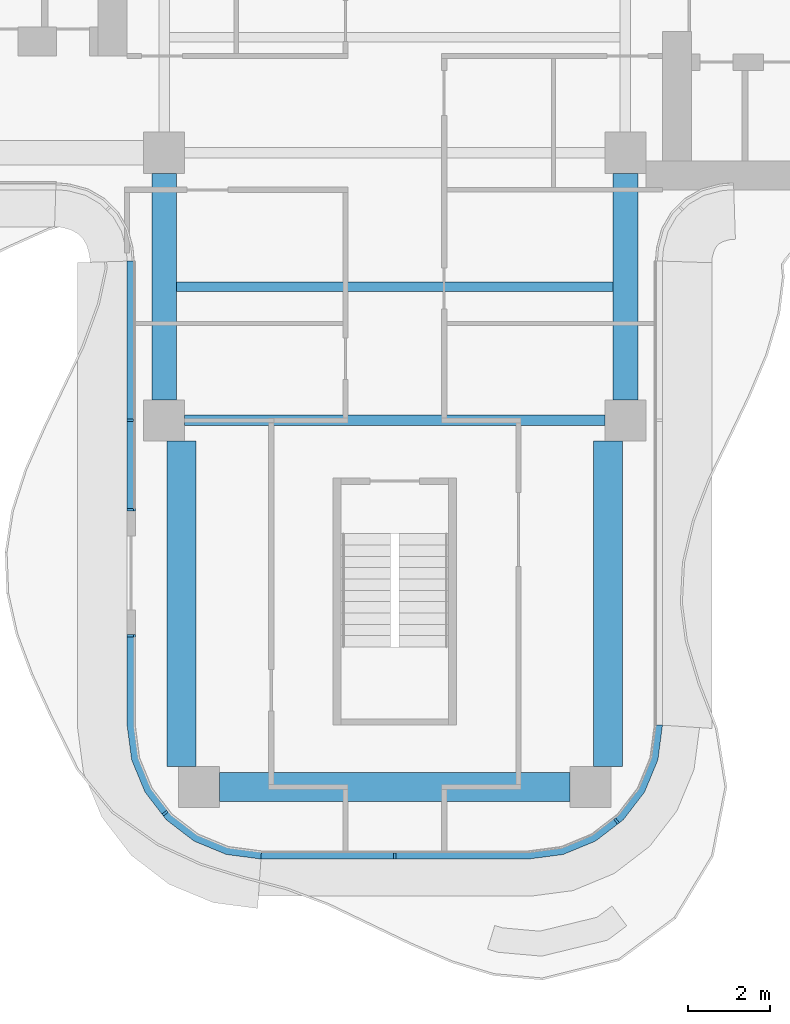
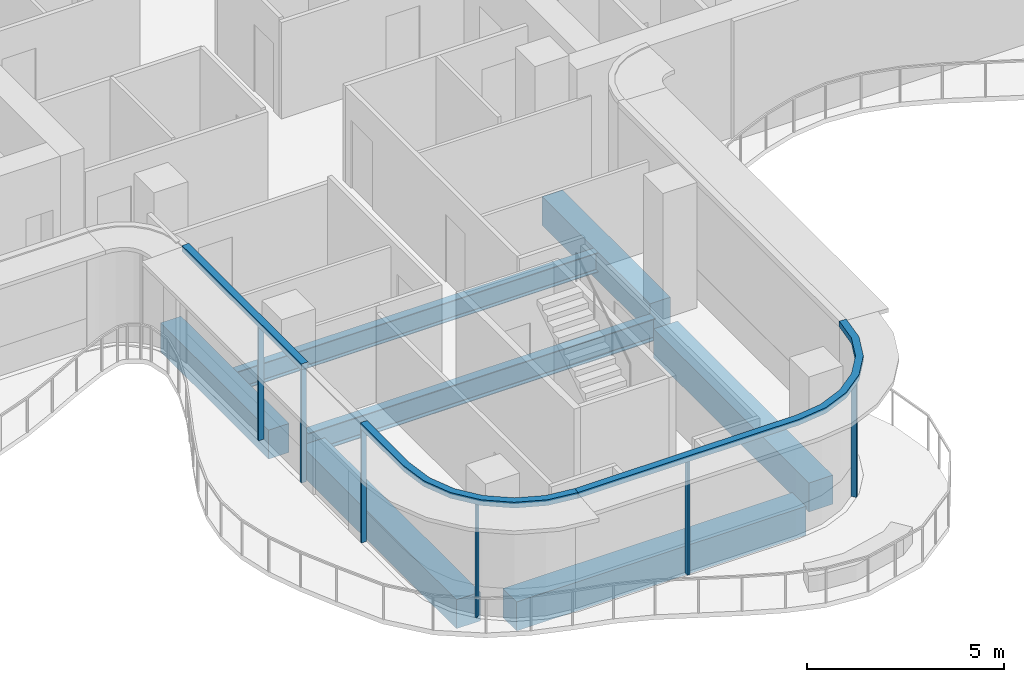
# One storey, part 2 of 16: 9 members, 7 beams, 3 elements without a shape of their own.
"""IFC4 building model written with IfcOpenShell, lengths in metres."""

from ifc_helpers import new_model, si_unit, direction, frame, origin, origin_2d, place, context, subcontext, project, spatial, polyline, rectangle, i_section, outline, extrude, source, transform, mapped, material, layer, layer_set, material_profile, profile_set, type_object, element, aggregate, save


model = new_model("IFC4")

# Units and contexts
model_context = context("Model", 3, precision=1e-05, world=origin(), true_north=direction((0.0, 1.0)))
body_context = subcontext(model_context, "Body", "Model", "MODEL_VIEW")
ifc_project = project(units=[si_unit("LENGTHUNIT", "METRE"), si_unit("AREAUNIT", "SQUARE_METRE"), si_unit("VOLUMEUNIT", "CUBIC_METRE"), si_unit("PLANEANGLEUNIT", "RADIAN"), si_unit("MASSUNIT", "GRAM", prefix="KILO")], contexts=[model_context])

# Site, building, storey
site_placement = place(None, origin())
site = spatial("IfcSite", under=ifc_project, at=site_placement, CompositionType="ELEMENT")
building_placement = place(site_placement, origin())
building = spatial("IfcBuilding", under=site, at=building_placement, Name="Trellis Farm Tower", CompositionType="ELEMENT")
storey_placement = place(building_placement, frame((0.0, 0.0, 306.699951171875)))
storey = spatial("IfcBuildingStorey", under=building, at=storey_placement, Name="L69", CompositionType="ELEMENT", Elevation=306.699951171875)

# Beams
ifc_material_1 = material(Name="Steel S355", Category="steel")
ifc_material_profile_1 = material_profile(ifc_material_1, i_section(OverallWidth=0.22900390625, OverallDepth=0.6123046875, WebThickness=0.011962890625, FlangeThickness=0.01953125, FilletRadius=0.0126953125, at=origin_2d()), Name="UB 610x229x125")
ifc_profile_set_1 = profile_set([ifc_material_profile_1], Name="Steel S355")
beam_type_1 = type_object("IfcBeamType", Name="UB 610x229x125 joist", PredefinedType="JOIST", material=ifc_profile_set_1)
shared_shape_1 = source(origin(), body_context, "Body", "SweptSolid", [
    extrude(i_section(OverallWidth=0.22900390625, OverallDepth=0.6123046875, WebThickness=0.011962890625, FlangeThickness=0.01953125, FilletRadius=0.0126953125, at=origin_2d()), origin(), (0.0, 0.0, 1.0), 10.60009765625),
])
beam_1_placement = place(storey_placement, frame((-5.300048828125, -8.85009765625, -0.506103515625), z_axis=(1.0, 0.0, 0.0), x_axis=(0.0, 1.0, 0.0)))
element("IfcBeam", 1, at=beam_1_placement, inside=storey, type_object=beam_type_1, Name="Floor beam", PredefinedType="JOIST", context=body_context, shape_type="MappedRepresentation", body=[
    mapped(shared_shape_1, transform((0.0, 0.0, 0.0))),
])
ifc_material_profile_2 = material_profile(ifc_material_1, i_section(OverallWidth=0.253662109375, OverallDepth=0.68359375, WebThickness=0.012451171875, FlangeThickness=0.021728515625, FilletRadius=0.01513671875, at=origin_2d()), Name="UB 686x254x140")
ifc_profile_set_2 = profile_set([ifc_material_profile_2], Name="Steel S355")
beam_type_2 = type_object("IfcBeamType", Name="UB 686x254x140", PredefinedType="BEAM", material=ifc_profile_set_2)
shared_shape_2 = source(origin(), body_context, "Body", "SweptSolid", [
    extrude(i_section(OverallWidth=0.253662109375, OverallDepth=0.68359375, WebThickness=0.012451171875, FlangeThickness=0.021728515625, FilletRadius=0.01513671875, at=origin_2d()), origin(), (0.0, 0.0, 1.0), 10.2001953125),
])
beam_2_placement = place(storey_placement, frame((-5.10009765625, -12.10009765625, -0.541748046875), z_axis=(1.0, 0.0, 0.0), x_axis=(0.0, 1.0, 0.0)))
element("IfcBeam", 2, at=beam_2_placement, inside=storey, type_object=beam_type_2, Name="Girder", PredefinedType="BEAM", context=body_context, shape_type="MappedRepresentation", body=[
    mapped(shared_shape_2, transform((0.0, 0.0, 0.0))),
])
ifc_material_2 = material(Name="Concrete C60/75", Category="concrete")
ifc_material_profile_3 = material_profile(ifc_material_2, rectangle(XDim=0.60009765625, YDim=0.89990234375, at=origin_2d()), Name="RC spandrel beam 600x900 C60/75")
ifc_profile_set_3 = profile_set([ifc_material_profile_3], Name="Concrete C60/75")
beam_type_3 = type_object("IfcBeamType", Name="RC spandrel beam 600x900 C60/75", PredefinedType="SPANDREL", material=ifc_profile_set_3)
shared_shape_3 = source(origin(), body_context, "Body", "SweptSolid", [
    extrude(rectangle(XDim=0.60009765625, YDim=0.89990234375, at=origin_2d()), origin(), (0.0, 0.0, 1.0), 5.5),
])
for number, where, z_axis, x_axis, name in (
    (3, (-5.60009765625, -11.60009765625, -0.64990234375), (0.0, 1.0, 0.0), (-1.0, 0.0, 0.0), "Girder"),
    (4, (5.60009765625, -11.60009765625, -0.64990234375), (0.0, 1.0, 0.0), (-1.0, 0.0, 0.0), "Girder"),
):
    element("IfcBeam", number, at=place(storey_placement, frame(where, z_axis=z_axis, x_axis=x_axis)), inside=storey, type_object=beam_type_3, Name=name, PredefinedType="SPANDREL", context=body_context, shape_type="MappedRepresentation", body=[
        mapped(shared_shape_3, transform((0.0, 0.0, 0.0))),
    ])
ifc_material_profile_4 = material_profile(ifc_material_2, rectangle(XDim=0.699951171875, YDim=0.89990234375, at=origin_2d()), Name="RC spandrel beam 700x900 C60/75")
ifc_profile_set_4 = profile_set([ifc_material_profile_4], Name="Concrete C60/75")
beam_type_4 = type_object("IfcBeamType", Name="RC spandrel beam 700x900 C60/75", PredefinedType="SPANDREL", material=ifc_profile_set_4)
shared_shape_4 = source(origin(), body_context, "Body", "SweptSolid", [
    extrude(rectangle(XDim=0.699951171875, YDim=0.89990234375, at=origin_2d()), origin(), (0.0, 0.0, 1.0), 8.5),
])
beam_3_placement = place(storey_placement, frame((-4.25, -21.0, -0.64990234375), z_axis=(1.0, 0.0, 0.0), x_axis=(0.0, 1.0, 0.0)))
element("IfcBeam", 5, at=beam_3_placement, inside=storey, type_object=beam_type_4, Name="Girder", PredefinedType="SPANDREL", context=body_context, shape_type="MappedRepresentation", body=[
    mapped(shared_shape_4, transform((0.0, 0.0, 0.0))),
])
shared_shape_5 = source(origin(), body_context, "Body", "SweptSolid", [
    extrude(rectangle(XDim=0.699951171875, YDim=0.89990234375, at=origin_2d()), origin(), (0.0, 0.0, 1.0), 7.89990234375),
])
for number, where, z_axis, x_axis, name in (
    (6, (-5.175048828125, -20.5, -0.64990234375), (0.0, 1.0, 0.0), (-1.0, 0.0, 0.0), "Girder"),
    (7, (5.175048828125, -20.5, -0.64990234375), (0.0, 1.0, 0.0), (-1.0, 0.0, 0.0), "Girder"),
):
    element("IfcBeam", number, at=place(storey_placement, frame(where, z_axis=z_axis, x_axis=x_axis)), inside=storey, type_object=beam_type_4, Name=name, PredefinedType="SPANDREL", context=body_context, shape_type="MappedRepresentation", body=[
        mapped(shared_shape_5, transform((0.0, 0.0, 0.0))),
    ])

# Curtain wall, members
ifc_material_3 = material(Name="Aluminium and glass curtain wall", Category="aluminium")
ifc_layer_1 = layer(ifc_material_3, 0.18994140625)
ifc_layer_set_1 = layer_set([ifc_layer_1], Name="RIBBON CURTAIN WALL CW1")
curtain_wall_type = type_object("IfcCurtainWallType", Name="RIBBON CURTAIN WALL CW1", PredefinedType="NOTDEFINED", material=ifc_layer_set_1)
placement_1 = place(storey_placement, origin())
curtain_wall_1 = element("IfcCurtainWall", 8, at=placement_1, inside=storey, type_object=curtain_wall_type, Name="CW1 002", PredefinedType="NOTDEFINED")
ifc_material_4 = material(Name="Aluminium extrusion 6063-T6", Category="aluminium")
ifc_material_profile_5 = material_profile(ifc_material_4, rectangle(XDim=0.06005859375, YDim=0.14990234375, at=origin_2d()), Name="MULLION 60x150")
ifc_profile_set_5 = profile_set([ifc_material_profile_5], Name="Aluminium extrusion 6063-T6")
member_type_1 = type_object("IfcMemberType", Name="CW1 MULLION 60x150", PredefinedType="MULLION", material=ifc_profile_set_5)
shared_shape_6 = source(origin(), body_context, "Body", "SweptSolid", [
    extrude(rectangle(XDim=0.06005859375, YDim=0.14990234375, at=origin_2d()), origin(), (0.0, 0.0, 1.0), 3.52001953125),
])
member_1_placement = place(storey_placement, frame((-6.425048828125, -12.10009765625, 0.0), z_axis=(0.0, 0.0, 1.0), x_axis=(0.0, -1.0, 0.0)))
member_1 = element("IfcMember", 9, at=member_1_placement, type_object=member_type_1, Name="MU1 002-01", PredefinedType="MULLION", context=body_context, shape_type="MappedRepresentation", body=[
    mapped(shared_shape_6, transform((0.0, 0.0, 0.0))),
])
member_2_placement = place(storey_placement, frame((-6.425048828125, -14.27001953125, 0.0), z_axis=(0.0, 0.0, 1.0), x_axis=(0.0, -1.0, 0.0)))
member_2 = element("IfcMember", 10, at=member_2_placement, type_object=member_type_1, Name="MU1 002-02", PredefinedType="MULLION", context=body_context, shape_type="MappedRepresentation", body=[
    mapped(shared_shape_6, transform((0.0, 0.0, 0.0))),
])

curtain_wall_2 = element("IfcCurtainWall", 11, at=placement_1, inside=storey, type_object=curtain_wall_type, Name="CW1 003", PredefinedType="NOTDEFINED")
member_3_placement = place(storey_placement, frame((-6.425048828125, -17.330078125, 0.0), z_axis=(0.0, 0.0, 1.0), x_axis=(0.0, -1.0, 0.0)))
member_3 = element("IfcMember", 12, at=member_3_placement, type_object=member_type_1, Name="MU1 003-01", PredefinedType="MULLION", context=body_context, shape_type="MappedRepresentation", body=[
    mapped(shared_shape_6, transform((0.0, 0.0, 0.0))),
])
member_4_placement = place(storey_placement, frame((-5.578369140625, -21.635498046875, 0.0), z_axis=(0.0, 0.0, 1.0), x_axis=(0.608761429009, -0.793353340291, 0.0)))
member_4 = element("IfcMember", 13, at=member_4_placement, type_object=member_type_1, Name="MU1 003-02", PredefinedType="MULLION", context=body_context, shape_type="MappedRepresentation", body=[
    mapped(shared_shape_6, transform((0.0, 0.0, 0.0))),
])

curtain_wall_3 = element("IfcCurtainWall", 14, at=placement_1, inside=storey, type_object=curtain_wall_type, Name="CW1 004", PredefinedType="NOTDEFINED")
member_5_placement = place(storey_placement, frame((0.0, -22.675048828125, 0.0), z_axis=(0.0, 0.0, 1.0), x_axis=(1.0, 0.0, 0.0)))
member_5 = element("IfcMember", 15, at=member_5_placement, type_object=member_type_1, Name="MU1 004-01", PredefinedType="MULLION", context=body_context, shape_type="MappedRepresentation", body=[
    mapped(shared_shape_6, transform((0.0, 0.0, 0.0))),
])
member_6_placement = place(storey_placement, frame((5.385498046875, -21.828369140625, 0.0), z_axis=(0.0, 0.0, 1.0), x_axis=(0.793353340291, 0.608761429009, 0.0)))
member_6 = element("IfcMember", 16, at=member_6_placement, type_object=member_type_1, Name="MU1 004-02", PredefinedType="MULLION", context=body_context, shape_type="MappedRepresentation", body=[
    mapped(shared_shape_6, transform((0.0, 0.0, 0.0))),
])
ifc_layer_2 = layer(ifc_material_4, 0.199951171875)
ifc_layer_set_2 = layer_set([ifc_layer_2], Name="Aluminium extrusion 6063-T6")
member_type_2 = type_object("IfcMemberType", Name="CW1 TRANSOM 200x180", PredefinedType="USERDEFINED", material=ifc_layer_set_2)
shared_shape_7 = source(origin(), body_context, "Body", "SweptSolid", [
    extrude(outline(polyline([(-3.25, -22.75), (3.25, -22.75), (4.091064453125, -22.63916015625), (4.875, -22.314697265625), (5.548095703125, -21.798095703125), (6.064697265625, -21.125), (6.38916015625, -20.341064453125), (6.5, -19.5), (6.300048828125, -19.48681640625), (6.1943359375, -20.2890625), (5.889892578125, -21.024169921875), (5.405517578125, -21.655517578125), (4.774169921875, -22.139892578125), (4.0390625, -22.4443359375), (3.23681640625, -22.550048828125), (-3.23681640625, -22.550048828125), (-3.25, -22.75)])), origin(), (0.0, 0.0, 1.0), 0.179931640625),
])
placement_2 = place(storey_placement, frame((0.0, 0.0, 3.52001953125)))
member_7 = element("IfcMember", 17, at=placement_2, type_object=member_type_2, Name="TR1 004", ObjectType="TRANSOM", PredefinedType="USERDEFINED", context=body_context, shape_type="MappedRepresentation", body=[
    mapped(shared_shape_7, transform((0.0, 0.0, 0.0))),
])
aggregate(curtain_wall_3, [member_5, member_6, member_7])

# Member
shared_shape_8 = source(origin(), body_context, "Body", "SweptSolid", [
    extrude(outline(polyline([(-6.5, -8.2314453125), (-6.5, -14.300048828125), (-6.300048828125, -14.300048828125), (-6.300048828125, -8.224853515625), (-6.5, -8.2314453125)])), origin(), (0.0, 0.0, 1.0), 0.179931640625),
])
member_8 = element("IfcMember", 18, at=placement_2, type_object=member_type_2, Name="TR1 002", ObjectType="TRANSOM", PredefinedType="USERDEFINED", context=body_context, shape_type="MappedRepresentation", body=[
    mapped(shared_shape_8, transform((0.0, 0.0, 0.0))),
])

aggregate(curtain_wall_1, [member_1, member_2, member_8])

shared_shape_9 = source(origin(), body_context, "Body", "SweptSolid", [
    extrude(outline(polyline([(-6.5, -17.300048828125), (-6.5, -19.5), (-6.38916015625, -20.341064453125), (-6.064697265625, -21.125), (-5.548095703125, -21.798095703125), (-4.875, -22.314697265625), (-4.091064453125, -22.63916015625), (-3.25, -22.75), (-3.23681640625, -22.550048828125), (-4.0390625, -22.4443359375), (-4.774169921875, -22.139892578125), (-5.405517578125, -21.655517578125), (-5.889892578125, -21.024169921875), (-6.1943359375, -20.2890625), (-6.300048828125, -19.48681640625), (-6.300048828125, -17.300048828125), (-6.5, -17.300048828125)])), origin(), (0.0, 0.0, 1.0), 0.179931640625),
])
member_9 = element("IfcMember", 19, at=placement_2, type_object=member_type_2, Name="TR1 003", ObjectType="TRANSOM", PredefinedType="USERDEFINED", context=body_context, shape_type="MappedRepresentation", body=[
    mapped(shared_shape_9, transform((0.0, 0.0, 0.0))),
])

aggregate(curtain_wall_2, [member_3, member_4, member_9])

save(model, "model.ifc")
